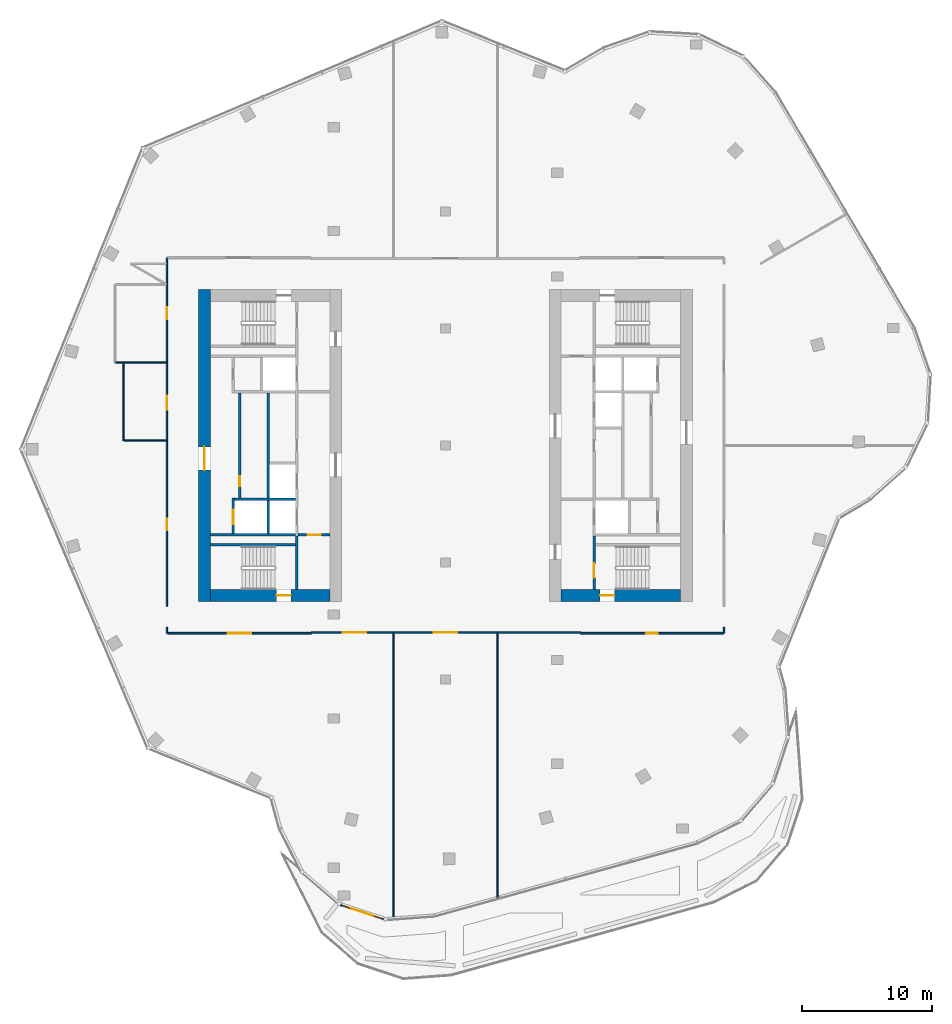
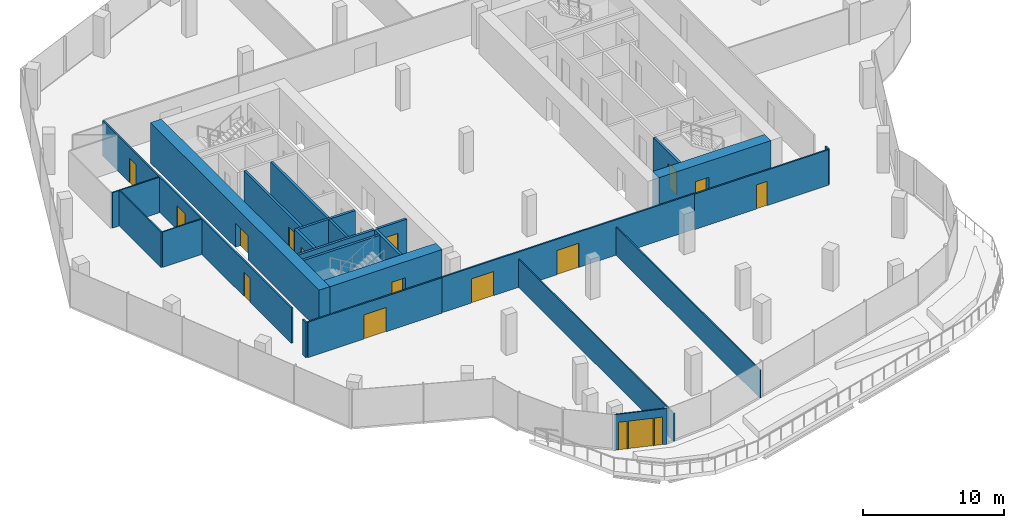
# One storey, part 12 of 16: 25 walls, 15 doors, 2 windows, 17 openings.
"""IFC4 building model written with IfcOpenShell, lengths in metres."""

from ifc_helpers import new_model, si_unit, direction, frame, frame_2d, origin, place, context, subcontext, project, spatial, rectangle, extrude, material, layer, layer_set, type_object, element, fill, save


model = new_model("IFC4")

# Units and contexts
model_context = context("Model", 3, precision=1e-05, world=origin(), true_north=direction((0.0, 1.0)))
body_context = subcontext(model_context, "Body", "Model", "MODEL_VIEW")
ifc_project = project(units=[si_unit("LENGTHUNIT", "METRE"), si_unit("AREAUNIT", "SQUARE_METRE"), si_unit("VOLUMEUNIT", "CUBIC_METRE"), si_unit("PLANEANGLEUNIT", "RADIAN"), si_unit("MASSUNIT", "GRAM", prefix="KILO")], contexts=[model_context])

# Site, building, storey
site_placement = place(None, origin())
site = spatial("IfcSite", under=ifc_project, at=site_placement, CompositionType="ELEMENT")
building_placement = place(site_placement, origin())
building = spatial("IfcBuilding", under=site, at=building_placement, Name="Orlundy Tower", CompositionType="ELEMENT")
storey_placement = place(building_placement, frame((0.0, 0.0, 292.89990234375)))
storey = spatial("IfcBuildingStorey", under=building, at=storey_placement, Name="L78", CompositionType="ELEMENT", Elevation=292.89990234375)

# Wall, opening, door
ifc_material_1 = material(Name="Concrete C50/60", Category="concrete")
ifc_layer_1 = layer(ifc_material_1, 0.89990234375)
ifc_layer_set_1 = layer_set([ifc_layer_1], Name="CORE WALL 900 C50/60")
wall_type_1 = type_object("IfcWallType", Name="CORE WALL 900 C50/60", PredefinedType="SHEAR", material=ifc_layer_set_1)
wall_1_placement = place(storey_placement, frame((-18.10009765625, -11.550048828125, 0.0), z_axis=(0.0, 0.0, 1.0), x_axis=(1.0, 0.0, 0.0)))
wall_1 = element("IfcWall", 1, at=wall_1_placement, inside=storey, type_object=wall_type_1, Name="Core wall W-S L78", PredefinedType="SHEAR", context=body_context, shape_type="SweptSolid", body=[
    extrude(rectangle(XDim=9.2001953125, YDim=0.89990234375, at=frame_2d((4.60009765625, 0.0))), origin(), (0.0, 0.0, 1.0), 3.5),
])
opening_1_placement = place(wall_1_placement, frame((5.10009765625, 0.0, 0.0)))
opening_1 = element("IfcOpeningElement", 2, at=opening_1_placement, cuts=wall_1, Name="Opening 60012", PredefinedType="OPENING", context=body_context, shape_type="SweptSolid", body=[
    extrude(rectangle(XDim=1.10009765625, YDim=2.10009765625, at=frame_2d((0.550048828125, 1.050048828125))), frame((0.0, 0.4599609375, 0.0), z_axis=(0.0, -1.0, 0.0), x_axis=(1.0, 0.0, 0.0)), (0.0, 0.0, 1.0), 0.919921875),
])
ifc_material_2 = material(Name="Steel door set", Category="steel")
door_type_1 = type_object("IfcDoorType", Name="Stair Door 1100x2100", OperationType="SINGLE_SWING_LEFT", PredefinedType="DOOR", material=ifc_material_2)
door_1_placement = place(opening_1_placement, origin())
door_1 = element("IfcDoor", 3, at=door_1_placement, inside=storey, type_object=door_type_1, Name="Stair door 60012", OperationType="SINGLE_SWING_RIGHT", OverallHeight=2.10009765625, OverallWidth=1.10009765625, PredefinedType="DOOR", context=body_context, shape_type="SweptSolid", body=[
    extrude(rectangle(XDim=1.10009765625, YDim=2.10009765625, at=frame_2d((0.550048828125, 1.050048828125))), frame((0.0, 0.02490234375, 0.0), z_axis=(0.0, -1.0, 0.0), x_axis=(1.0, 0.0, 0.0)), (0.0, 0.0, 1.0), 0.050048828125),
])
fill(opening_1, door_1)

wall_2_placement = place(storey_placement, frame((-18.550048828125, -12.0, 0.0), z_axis=(0.0, 0.0, 1.0), x_axis=(0.0, 1.0, 0.0)))
wall_2 = element("IfcWall", 4, at=wall_2_placement, inside=storey, type_object=wall_type_1, Name="Core wall W-W L78", PredefinedType="SHEAR", context=body_context, shape_type="SweptSolid", body=[
    extrude(rectangle(XDim=24.0, YDim=0.89990234375, at=frame_2d((12.0, 0.0))), origin(), (0.0, 0.0, 1.0), 3.5),
])
opening_2_placement = place(wall_2_placement, frame((10.10009765625, 0.0, 0.0)))
opening_2 = element("IfcOpeningElement", 5, at=opening_2_placement, cuts=wall_2, Name="Opening 60009", PredefinedType="OPENING", context=body_context, shape_type="SweptSolid", body=[
    extrude(rectangle(XDim=1.800048828125, YDim=2.10009765625, at=frame_2d((0.89990234375, 1.050048828125))), frame((0.0, 0.4599609375, 0.0), z_axis=(0.0, -1.0, 0.0), x_axis=(1.0, 0.0, 0.0)), (0.0, 0.0, 1.0), 0.919921875),
])
ifc_material_3 = material(Name="Timber door set", Category="wood")
door_type_2 = type_object("IfcDoorType", Name="Lobby Door 1800x2100", OperationType="DOUBLE_DOOR_DOUBLE_SWING", PredefinedType="DOOR", material=ifc_material_3)
door_2_placement = place(opening_2_placement, origin())
door_2 = element("IfcDoor", 6, at=door_2_placement, inside=storey, type_object=door_type_2, Name="Lift lobby door 60009", OperationType="SINGLE_SWING_LEFT", OverallHeight=2.10009765625, OverallWidth=1.800048828125, PredefinedType="DOOR", context=body_context, shape_type="SweptSolid", body=[
    extrude(rectangle(XDim=1.800048828125, YDim=2.10009765625, at=frame_2d((0.89990234375, 1.050048828125))), frame((0.0, 0.02490234375, 0.0), z_axis=(0.0, -1.0, 0.0), x_axis=(1.0, 0.0, 0.0)), (0.0, 0.0, 1.0), 0.050048828125),
])
fill(opening_2, door_2)

wall_3_placement = place(storey_placement, frame((8.89990234375, -11.550048828125, 0.0), z_axis=(0.0, 0.0, 1.0), x_axis=(1.0, 0.0, 0.0)))
wall_3 = element("IfcWall", 7, at=wall_3_placement, inside=storey, type_object=wall_type_1, Name="Core wall E-S L78", PredefinedType="SHEAR", context=body_context, shape_type="SweptSolid", body=[
    extrude(rectangle(XDim=9.2001953125, YDim=0.89990234375, at=frame_2d((4.60009765625, 0.0))), origin(), (0.0, 0.0, 1.0), 3.5),
])
opening_3_placement = place(wall_3_placement, frame((3.0, 0.0, 0.0)))
opening_3 = element("IfcOpeningElement", 8, at=opening_3_placement, cuts=wall_3, Name="Opening 60060", PredefinedType="OPENING", context=body_context, shape_type="SweptSolid", body=[
    extrude(rectangle(XDim=1.10009765625, YDim=2.10009765625, at=frame_2d((0.550048828125, 1.050048828125))), frame((0.0, 0.4599609375, 0.0), z_axis=(0.0, -1.0, 0.0), x_axis=(1.0, 0.0, 0.0)), (0.0, 0.0, 1.0), 0.919921875),
])
door_3_placement = place(opening_3_placement, origin())
door_3 = element("IfcDoor", 9, at=door_3_placement, inside=storey, type_object=door_type_1, Name="Stair door 60060", OperationType="SINGLE_SWING_LEFT", OverallHeight=2.10009765625, OverallWidth=1.10009765625, PredefinedType="DOOR", context=body_context, shape_type="SweptSolid", body=[
    extrude(rectangle(XDim=1.10009765625, YDim=2.10009765625, at=frame_2d((0.550048828125, 1.050048828125))), frame((0.0, 0.02490234375, 0.0), z_axis=(0.0, -1.0, 0.0), x_axis=(1.0, 0.0, 0.0)), (0.0, 0.0, 1.0), 0.050048828125),
])
fill(opening_3, door_3)

# Walls
ifc_material_4 = material(Name="Gypsum board partition")
ifc_layer_2 = layer(ifc_material_4, 0.10009765625)
ifc_layer_set_2 = layer_set([ifc_layer_2], Name="Floor partition 100")
wall_type_2 = type_object("IfcWallType", Name="Floor partition 100", PredefinedType="PARTITIONING", material=ifc_layer_set_2)
wall_4_placement = place(storey_placement, frame((-24.73193359375, 0.385986328125, 0.0), z_axis=(0.0, 0.0, 1.0), x_axis=(1.0, 0.0, 0.0)))
element("IfcWall", 10, at=wall_4_placement, inside=storey, type_object=wall_type_2, Name="wall-int-L78-006", PredefinedType="PARTITIONING", context=body_context, shape_type="SweptSolid", body=[
    extrude(rectangle(XDim=3.219970703125, YDim=0.10009765625, at=frame_2d((1.60986328125, 0.0))), origin(), (0.0, 0.0, 1.0), 3.080078125),
])
wall_5_placement = place(storey_placement, frame((-25.39794921875, 6.385009765625, 0.0), z_axis=(0.0, 0.0, 1.0), x_axis=(1.0, 0.0, 0.0)))
element("IfcWall", 11, at=wall_5_placement, inside=storey, type_object=wall_type_2, Name="wall-int-L78-007", PredefinedType="PARTITIONING", context=body_context, shape_type="SweptSolid", body=[
    extrude(rectangle(XDim=3.885986328125, YDim=0.10009765625, at=frame_2d((1.94287109375, 0.0))), origin(), (0.0, 0.0, 1.0), 3.080078125),
])
wall_6_placement = place(storey_placement, frame((-24.781982421875, 0.385986328125, 0.0), z_axis=(0.0, 0.0, 1.0), x_axis=(0.0, 1.0, 0.0)))
element("IfcWall", 12, at=wall_6_placement, inside=storey, type_object=wall_type_2, Name="wall-int-L78-023", PredefinedType="PARTITIONING", context=body_context, shape_type="SweptSolid", body=[
    extrude(rectangle(XDim=5.948974609375, YDim=0.10009765625, at=frame_2d((2.974609375, 0.0))), origin(), (0.0, 0.0, 1.0), 3.080078125),
])
ifc_material_5 = material(Name="Gypsum board partition")
ifc_layer_3 = layer(ifc_material_5, 0.10009765625)
ifc_layer_set_3 = layer_set([ifc_layer_3], Name="Floor partition 100 B")
wall_type_3 = type_object("IfcWallType", Name="Floor partition 100 B", PredefinedType="PARTITIONING", material=ifc_layer_set_3)
wall_7_placement = place(storey_placement, frame((4.0, -34.951904296875, 0.0), z_axis=(0.0, 0.0, 1.0), x_axis=(0.0, 1.0, 0.0)))
element("IfcWall", 13, at=wall_7_placement, inside=storey, type_object=wall_type_3, Name="wall-int-L78-017", PredefinedType="PARTITIONING", context=body_context, shape_type="SweptSolid", body=[
    extrude(rectangle(XDim=20.489013671875, YDim=0.10009765625, at=frame_2d((10.24462890625, 0.0))), origin(), (0.0, 0.0, 1.0), 2.445068359375),
])
wall_8_placement = place(storey_placement, frame((-4.0, -36.531982421875, 0.0), z_axis=(0.0, 0.0, 1.0), x_axis=(0.0, 1.0, 0.0)))
element("IfcWall", 14, at=wall_8_placement, inside=storey, type_object=wall_type_3, Name="wall-int-L78-019", PredefinedType="PARTITIONING", context=body_context, shape_type="SweptSolid", body=[
    extrude(rectangle(XDim=22.069091796875, YDim=0.10009765625, at=frame_2d((11.03466796875, 0.0))), origin(), (0.0, 0.0, 1.0), 2.445068359375),
])

# Wall, opening, door
ifc_material_6 = material(Name="Gypsum board partition, double layer")
ifc_layer_4 = layer(ifc_material_6, 0.125)
ifc_layer_set_4 = layer_set([ifc_layer_4], Name="Floor partition 125")
wall_type_4 = type_object("IfcWallType", Name="Floor partition 125", PredefinedType="PARTITIONING", material=ifc_layer_set_4)
wall_9_placement = place(storey_placement, frame((-10.35009765625, -14.450927734375, 0.0), z_axis=(0.0, 0.0, 1.0), x_axis=(-1.0, 0.0, 0.0)))
wall_9 = element("IfcWall", 15, at=wall_9_placement, inside=storey, type_object=wall_type_4, Name="wall-int-L78-002", PredefinedType="PARTITIONING", context=body_context, shape_type="SweptSolid", body=[
    extrude(rectangle(XDim=11.036865234375, YDim=0.125, at=frame_2d((5.5185546875, 0.0))), origin(), (0.0, 0.0, 1.0), 3.080078125),
])
opening_4_placement = place(wall_9_placement, frame((4.60009765625, 0.0, 0.0)))
opening_4 = element("IfcOpeningElement", 16, at=opening_4_placement, cuts=wall_9, Name="Opening 60101", PredefinedType="OPENING", context=body_context, shape_type="SweptSolid", body=[
    extrude(rectangle(XDim=1.800048828125, YDim=2.10009765625, at=frame_2d((0.89990234375, 1.050048828125))), frame((0.0, 0.072509765625, 0.0), z_axis=(0.0, -1.0, 0.0), x_axis=(1.0, 0.0, 0.0)), (0.0, 0.0, 1.0), 0.14501953125),
])
ifc_material_7 = material(Name="Timber door leaf", Category="wood")
door_type_3 = type_object("IfcDoorType", Name="Floor door double 1800 FD30S", OperationType="NOTDEFINED", PredefinedType="DOOR", material=ifc_material_7)
door_4_placement = place(opening_4_placement, origin())
door_4 = element("IfcDoor", 17, at=door_4_placement, inside=storey, type_object=door_type_3, Name="Door 60101", OperationType="DOUBLE_DOOR_SINGLE_SWING", OverallHeight=2.10009765625, OverallWidth=1.800048828125, PredefinedType="DOOR", context=body_context, shape_type="SweptSolid", body=[
    extrude(rectangle(XDim=1.800048828125, YDim=2.10009765625, at=frame_2d((0.89990234375, 1.050048828125))), frame((0.0, 0.02490234375, 0.0), z_axis=(0.0, -1.0, 0.0), x_axis=(1.0, 0.0, 0.0)), (0.0, 0.0, 1.0), 0.050048828125),
])
fill(opening_4, door_4)

wall_10_placement = place(storey_placement, frame((21.386962890625, -14.450927734375, 0.0), z_axis=(0.0, 0.0, 1.0), x_axis=(-1.0, 0.0, 0.0)))
wall_10 = element("IfcWall", 18, at=wall_10_placement, inside=storey, type_object=wall_type_4, Name="wall-int-L78-003", PredefinedType="PARTITIONING", context=body_context, shape_type="SweptSolid", body=[
    extrude(rectangle(XDim=10.995849609375, YDim=0.125, at=frame_2d((5.498046875, 0.0))), origin(), (0.0, 0.0, 1.0), 3.080078125),
])
opening_5_placement = place(wall_10_placement, frame((5.03759765625, 0.0, 0.0)))
opening_5 = element("IfcOpeningElement", 19, at=opening_5_placement, cuts=wall_10, Name="Opening 60104", PredefinedType="OPENING", context=body_context, shape_type="SweptSolid", body=[
    extrude(rectangle(XDim=0.89990234375, YDim=2.10009765625, at=frame_2d((0.449951171875, 1.050048828125))), frame((0.0, 0.072509765625, 0.0), z_axis=(0.0, -1.0, 0.0), x_axis=(1.0, 0.0, 0.0)), (0.0, 0.0, 1.0), 0.14501953125),
])
ifc_material_8 = material(Name="Timber door leaf", Category="wood")
door_type_4 = type_object("IfcDoorType", Name="Floor door single 900 FD30S", OperationType="NOTDEFINED", PredefinedType="DOOR", material=ifc_material_8)
door_5_placement = place(opening_5_placement, origin())
door_5 = element("IfcDoor", 20, at=door_5_placement, inside=storey, type_object=door_type_4, Name="Door 60104", OperationType="SINGLE_SWING_LEFT", OverallHeight=2.10009765625, OverallWidth=0.89990234375, PredefinedType="DOOR", context=body_context, shape_type="SweptSolid", body=[
    extrude(rectangle(XDim=0.89990234375, YDim=2.10009765625, at=frame_2d((0.449951171875, 1.050048828125))), frame((0.0, 0.02490234375, 0.0), z_axis=(0.0, -1.0, 0.0), x_axis=(1.0, 0.0, 0.0)), (0.0, 0.0, 1.0), 0.050048828125),
])
fill(opening_5, door_5)

# Wall, openings, doors
wall_11_placement = place(storey_placement, frame((10.39111328125, -14.40087890625, 0.0), z_axis=(0.0, 0.0, 1.0), x_axis=(-1.0, 0.0, 0.0)))
wall_11 = element("IfcWall", 21, at=wall_11_placement, inside=storey, type_object=wall_type_4, Name="wall-int-L78-004", PredefinedType="PARTITIONING", context=body_context, shape_type="SweptSolid", body=[
    extrude(rectangle(XDim=20.740234375, YDim=0.125, at=frame_2d((10.3701171875, 0.0))), origin(), (0.0, 0.0, 1.0), 3.080078125),
])
opening_6_placement = place(wall_11_placement, frame((16.490966796875, 0.0, 0.0)))
opening_6 = element("IfcOpeningElement", 22, at=opening_6_placement, cuts=wall_11, Name="Opening 60102", PredefinedType="OPENING", context=body_context, shape_type="SweptSolid", body=[
    extrude(rectangle(XDim=1.800048828125, YDim=2.10009765625, at=frame_2d((0.89990234375, 1.050048828125))), frame((0.0, 0.072509765625, 0.0), z_axis=(0.0, -1.0, 0.0), x_axis=(1.0, 0.0, 0.0)), (0.0, 0.0, 1.0), 0.14501953125),
])
opening_7_placement = place(wall_11_placement, frame((9.490966796875, 0.0, 0.0)))
opening_7 = element("IfcOpeningElement", 23, at=opening_7_placement, cuts=wall_11, Name="Opening 60103", PredefinedType="OPENING", context=body_context, shape_type="SweptSolid", body=[
    extrude(rectangle(XDim=1.800048828125, YDim=2.10009765625, at=frame_2d((0.89990234375, 1.050048828125))), frame((0.0, 0.072509765625, 0.0), z_axis=(0.0, -1.0, 0.0), x_axis=(1.0, 0.0, 0.0)), (0.0, 0.0, 1.0), 0.14501953125),
])
door_6_placement = place(opening_6_placement, origin())
door_6 = element("IfcDoor", 24, at=door_6_placement, inside=storey, type_object=door_type_3, Name="Door 60102", OperationType="DOUBLE_DOOR_SINGLE_SWING", OverallHeight=2.10009765625, OverallWidth=1.800048828125, PredefinedType="DOOR", context=body_context, shape_type="SweptSolid", body=[
    extrude(rectangle(XDim=1.800048828125, YDim=2.10009765625, at=frame_2d((0.89990234375, 1.050048828125))), frame((0.0, 0.02490234375, 0.0), z_axis=(0.0, -1.0, 0.0), x_axis=(1.0, 0.0, 0.0)), (0.0, 0.0, 1.0), 0.050048828125),
])
fill(opening_6, door_6)
door_7_placement = place(opening_7_placement, origin())
door_7 = element("IfcDoor", 25, at=door_7_placement, inside=storey, type_object=door_type_3, Name="Door 60103", OperationType="DOUBLE_DOOR_SINGLE_SWING", OverallHeight=2.10009765625, OverallWidth=1.800048828125, PredefinedType="DOOR", context=body_context, shape_type="SweptSolid", body=[
    extrude(rectangle(XDim=1.800048828125, YDim=2.10009765625, at=frame_2d((0.89990234375, 1.050048828125))), frame((0.0, 0.02490234375, 0.0), z_axis=(0.0, -1.0, 0.0), x_axis=(1.0, 0.0, 0.0)), (0.0, 0.0, 1.0), 0.050048828125),
])
fill(opening_7, door_7)

# Walls
for number, where, z_axis, x_axis, name in (
    (26, (21.449951171875, -14.450927734375, 0.0), (0.0, 0.0, 1.0), (0.0, 1.0, 0.0), "wall-int-L78-014"),
    (27, (-21.449951171875, -14.450927734375, 0.0), (0.0, 0.0, 1.0), (0.0, 1.0, 0.0), "wall-int-L78-021"),
):
    element("IfcWall", number, at=place(storey_placement, frame(where, z_axis=z_axis, x_axis=x_axis)), inside=storey, type_object=wall_type_4, Name=name, PredefinedType="PARTITIONING", context=body_context, shape_type="SweptSolid", body=[
        extrude(rectangle(XDim=0.450927734375, YDim=0.125, at=frame_2d((0.2255859375, 0.0))), origin(), (0.0, 0.0, 1.0), 3.080078125),
    ])

# Wall, openings, doors
wall_12_placement = place(storey_placement, frame((-21.449951171875, -12.384033203125, 0.0), z_axis=(0.0, 0.0, 1.0), x_axis=(0.0, 1.0, 0.0)))
wall_12 = element("IfcWall", 28, at=wall_12_placement, inside=storey, type_object=wall_type_4, Name="wall-int-L78-022", PredefinedType="PARTITIONING", context=body_context, shape_type="SweptSolid", body=[
    extrude(rectangle(XDim=26.8349609375, YDim=0.125, at=frame_2d((13.41748046875, 0.0))), origin(), (0.0, 0.0, 1.0), 3.080078125),
])
opening_8_placement = place(wall_12_placement, frame((5.85009765625, 0.0, 0.0)))
opening_8 = element("IfcOpeningElement", 29, at=opening_8_placement, cuts=wall_12, Name="Opening 60100", PredefinedType="OPENING", context=body_context, shape_type="SweptSolid", body=[
    extrude(rectangle(XDim=0.89990234375, YDim=2.10009765625, at=frame_2d((0.449951171875, 1.050048828125))), frame((0.0, 0.072509765625, 0.0), z_axis=(0.0, -1.0, 0.0), x_axis=(1.0, 0.0, 0.0)), (0.0, 0.0, 1.0), 0.14501953125),
])
opening_9_placement = place(wall_12_placement, frame((22.118896484375, 0.0, 0.0)))
opening_9 = element("IfcOpeningElement", 30, at=opening_9_placement, cuts=wall_12, Name="Opening 60110", PredefinedType="OPENING", context=body_context, shape_type="SweptSolid", body=[
    extrude(rectangle(XDim=0.89990234375, YDim=2.10009765625, at=frame_2d((0.449951171875, 1.050048828125))), frame((0.0, 0.072509765625, 0.0), z_axis=(0.0, -1.0, 0.0), x_axis=(1.0, 0.0, 0.0)), (0.0, 0.0, 1.0), 0.14501953125),
])
opening_10_placement = place(wall_12_placement, frame((15.1201171875, 0.0, 0.0)))
opening_10 = element("IfcOpeningElement", 31, at=opening_10_placement, cuts=wall_12, Name="Opening 60111", PredefinedType="OPENING", context=body_context, shape_type="SweptSolid", body=[
    extrude(rectangle(XDim=1.10009765625, YDim=2.10009765625, at=frame_2d((0.550048828125, 1.050048828125))), frame((0.0, 0.072509765625, 0.0), z_axis=(0.0, -1.0, 0.0), x_axis=(1.0, 0.0, 0.0)), (0.0, 0.0, 1.0), 0.14501953125),
])
door_8_placement = place(opening_8_placement, origin())
door_8 = element("IfcDoor", 32, at=door_8_placement, inside=storey, type_object=door_type_4, Name="Door 60100", OperationType="SINGLE_SWING_LEFT", OverallHeight=2.10009765625, OverallWidth=0.89990234375, PredefinedType="DOOR", context=body_context, shape_type="SweptSolid", body=[
    extrude(rectangle(XDim=0.89990234375, YDim=2.10009765625, at=frame_2d((0.449951171875, 1.050048828125))), frame((0.0, 0.02490234375, 0.0), z_axis=(0.0, -1.0, 0.0), x_axis=(1.0, 0.0, 0.0)), (0.0, 0.0, 1.0), 0.050048828125),
])
fill(opening_8, door_8)
door_9_placement = place(opening_9_placement, origin())
door_9 = element("IfcDoor", 33, at=door_9_placement, inside=storey, type_object=door_type_4, Name="Door 60110", OperationType="SINGLE_SWING_RIGHT", OverallHeight=2.10009765625, OverallWidth=0.89990234375, PredefinedType="DOOR", context=body_context, shape_type="SweptSolid", body=[
    extrude(rectangle(XDim=0.89990234375, YDim=2.10009765625, at=frame_2d((0.449951171875, 1.050048828125))), frame((0.0, 0.02490234375, 0.0), z_axis=(0.0, -1.0, 0.0), x_axis=(1.0, 0.0, 0.0)), (0.0, 0.0, 1.0), 0.050048828125),
])
fill(opening_9, door_9)
ifc_material_9 = material(Name="Timber door leaf", Category="wood")
door_type_5 = type_object("IfcDoorType", Name="Floor door xwide 1100 FD30S", OperationType="NOTDEFINED", PredefinedType="DOOR", material=ifc_material_9)
door_10_placement = place(opening_10_placement, origin())
door_10 = element("IfcDoor", 34, at=door_10_placement, inside=storey, type_object=door_type_5, Name="Door 60111", OperationType="SINGLE_SWING_RIGHT", OverallHeight=2.10009765625, OverallWidth=1.10009765625, PredefinedType="DOOR", context=body_context, shape_type="SweptSolid", body=[
    extrude(rectangle(XDim=1.10009765625, YDim=2.10009765625, at=frame_2d((0.550048828125, 1.050048828125))), frame((0.0, 0.02490234375, 0.0), z_axis=(0.0, -1.0, 0.0), x_axis=(1.0, 0.0, 0.0)), (0.0, 0.0, 1.0), 0.050048828125),
])
fill(opening_10, door_10)

# Wall, openings, windows, door
ifc_material_10 = material(Name="Aluminium bronze and tinted glass", Category="aluminium")
ifc_layer_5 = layer(ifc_material_10, 0.10009765625)
ifc_layer_set_5 = layer_set([ifc_layer_5], Name="Glazed door screen")
wall_type_5 = type_object("IfcWallType", Name="Glazed door screen", PredefinedType="STANDARD", material=ifc_layer_set_5)
wall_13_placement = place(storey_placement, frame((-4.612548828125, -36.520263671875, 0.0), z_axis=(0.0, 0.0, 1.0), x_axis=(-0.94967573468, 0.3132347346, 0.0)))
wall_13 = element("IfcWall", 35, at=wall_13_placement, inside=storey, type_object=wall_type_5, Name="Glazed door screen", PredefinedType="STANDARD", context=body_context, shape_type="SweptSolid", body=[
    extrude(rectangle(XDim=3.794921875, YDim=0.10009765625, at=frame_2d((1.8974609375, 0.0))), origin(), (0.0, 0.0, 1.0), 3.10009765625),
])
opening_11_placement = place(wall_13_placement, frame((0.99755859375, 0.0, 0.0)))
opening_11 = element("IfcOpeningElement", 36, at=opening_11_placement, cuts=wall_13, Name="Opening 60940", PredefinedType="OPENING", context=body_context, shape_type="SweptSolid", body=[
    extrude(rectangle(XDim=1.800048828125, YDim=2.39990234375, at=frame_2d((0.89990234375, 1.199951171875))), frame((0.0, 0.06005859375, 0.0), z_axis=(0.0, -1.0, 0.0), x_axis=(1.0, 0.0, 0.0)), (0.0, 0.0, 1.0), 0.1201171875),
])
opening_12_placement = place(wall_13_placement, frame((0.297607421875, 0.0, 0.0)))
opening_12 = element("IfcOpeningElement", 37, at=opening_12_placement, cuts=wall_13, Name="Opening W01", PredefinedType="OPENING", context=body_context, shape_type="SweptSolid", body=[
    extrude(rectangle(XDim=0.60009765625, YDim=2.39990234375, at=frame_2d((0.300048828125, 1.199951171875))), frame((0.0, 0.06005859375, 0.0), z_axis=(0.0, -1.0, 0.0), x_axis=(1.0, 0.0, 0.0)), (0.0, 0.0, 1.0), 0.1201171875),
])
opening_13_placement = place(wall_13_placement, frame((2.897705078125, 0.0, 0.0)))
opening_13 = element("IfcOpeningElement", 38, at=opening_13_placement, cuts=wall_13, Name="Opening W01", PredefinedType="OPENING", context=body_context, shape_type="SweptSolid", body=[
    extrude(rectangle(XDim=0.60009765625, YDim=2.39990234375, at=frame_2d((0.300048828125, 1.199951171875))), frame((0.0, 0.06005859375, 0.0), z_axis=(0.0, -1.0, 0.0), x_axis=(1.0, 0.0, 0.0)), (0.0, 0.0, 1.0), 0.1201171875),
])
ifc_material_11 = material(Name="Tinted glass in bronze aluminium frame", Category="aluminium")
window_type = type_object("IfcWindowType", Name="SL1 sidelight 600x2400", PartitioningType="SINGLE_PANEL", PredefinedType="WINDOW", material=ifc_material_11)
window_1_placement = place(opening_12_placement, origin())
window_1 = element("IfcWindow", 39, at=window_1_placement, inside=storey, type_object=window_type, Name="Window W01 L78", OverallHeight=2.39990234375, OverallWidth=0.60009765625, PartitioningType="SINGLE_PANEL", PredefinedType="WINDOW", context=body_context, shape_type="SweptSolid", body=[
    extrude(rectangle(XDim=0.60009765625, YDim=2.39990234375, at=frame_2d((0.300048828125, 1.199951171875))), frame((0.0, 0.030029296875, 0.0), z_axis=(0.0, -1.0, 0.0), x_axis=(1.0, 0.0, 0.0)), (0.0, 0.0, 1.0), 0.06005859375),
])
fill(opening_12, window_1)
window_2_placement = place(opening_13_placement, origin())
window_2 = element("IfcWindow", 40, at=window_2_placement, inside=storey, type_object=window_type, Name="Window W01 L78", OverallHeight=2.39990234375, OverallWidth=0.60009765625, PartitioningType="SINGLE_PANEL", PredefinedType="WINDOW", context=body_context, shape_type="SweptSolid", body=[
    extrude(rectangle(XDim=0.60009765625, YDim=2.39990234375, at=frame_2d((0.300048828125, 1.199951171875))), frame((0.0, 0.030029296875, 0.0), z_axis=(0.0, -1.0, 0.0), x_axis=(1.0, 0.0, 0.0)), (0.0, 0.0, 1.0), 0.06005859375),
])
fill(opening_13, window_2)
ifc_material_12 = material(Name="Aluminium bronze and tinted glass", Category="aluminium")
door_type_6 = type_object("IfcDoorType", Name="TD3 terrace sliding door 1800x2400", OperationType="DOUBLE_DOOR_SLIDING", PredefinedType="DOOR", material=ifc_material_12)
door_11_placement = place(opening_11_placement, origin())
door_11 = element("IfcDoor", 41, at=door_11_placement, inside=storey, type_object=door_type_6, Name="Door 60940", OperationType="DOUBLE_DOOR_SLIDING", OverallHeight=2.39990234375, OverallWidth=1.800048828125, PredefinedType="DOOR", context=body_context, shape_type="SweptSolid", body=[
    extrude(rectangle(XDim=1.800048828125, YDim=2.39990234375, at=frame_2d((0.89990234375, 1.199951171875))), frame((0.0, 0.02490234375, 0.0), z_axis=(0.0, -1.0, 0.0), x_axis=(1.0, 0.0, 0.0)), (0.0, 0.0, 1.0), 0.050048828125),
])
fill(opening_11, door_11)

# Walls
ifc_material_13 = material(Name="Concrete C40/50", Category="concrete")
ifc_layer_6 = layer(ifc_material_13, 0.199951171875)
ifc_layer_set_6 = layer_set([ifc_layer_6], Name="Load-bearing Shaft Wall 200")
wall_type_6 = type_object("IfcWallType", Name="Load-bearing Shaft Wall 200", PredefinedType="SOLIDWALL", material=ifc_layer_set_6)
wall_14_placement = place(storey_placement, frame((-11.43994140625, -11.10009765625, 0.0), z_axis=(0.0, 0.0, 1.0), x_axis=(0.0, 1.0, 0.0)))
element("IfcWall", 42, at=wall_14_placement, inside=storey, type_object=wall_type_6, Name="Shaft wall W60-stair-end-s", PredefinedType="SOLIDWALL", context=body_context, shape_type="SweptSolid", body=[
    extrude(rectangle(XDim=4.125, YDim=0.199951171875, at=frame_2d((2.0625, 0.0))), origin(), (0.0, 0.0, 1.0), 3.090087890625),
])
wall_15_placement = place(storey_placement, frame((-11.5400390625, -7.64990234375, 0.0), z_axis=(0.0, 0.0, 1.0), x_axis=(-1.0, 0.0, 0.0)))
element("IfcWall", 43, at=wall_15_placement, inside=storey, type_object=wall_type_6, Name="Shaft wall W60-stair-side-s", PredefinedType="SOLIDWALL", context=body_context, shape_type="SweptSolid", body=[
    extrude(rectangle(XDim=6.56005859375, YDim=0.199951171875, at=frame_2d((3.280029296875, 0.0))), origin(), (0.0, 0.0, 1.0), 3.090087890625),
])

# Wall, opening, door
wall_16_placement = place(storey_placement, frame((11.43994140625, -6.97509765625, 0.0), z_axis=(0.0, 0.0, 1.0), x_axis=(0.0, -1.0, 0.0)))
wall_16 = element("IfcWall", 44, at=wall_16_placement, inside=storey, type_object=wall_type_6, Name="Shaft wall E60-stair-end-n", PredefinedType="SOLIDWALL", context=body_context, shape_type="SweptSolid", body=[
    extrude(rectangle(XDim=4.125, YDim=0.199951171875, at=frame_2d((2.0625, 0.0))), origin(), (0.0, 0.0, 1.0), 3.090087890625),
])
opening_14_placement = place(wall_16_placement, frame((2.10009765625, 0.0, 0.0)))
opening_14 = element("IfcOpeningElement", 45, at=opening_14_placement, cuts=wall_16, Name="Opening 60062", PredefinedType="OPENING", context=body_context, shape_type="SweptSolid", body=[
    extrude(rectangle(XDim=1.10009765625, YDim=2.10009765625, at=frame_2d((0.550048828125, 1.050048828125))), frame((0.0, 0.110107421875, 0.0), z_axis=(0.0, -1.0, 0.0), x_axis=(1.0, 0.0, 0.0)), (0.0, 0.0, 1.0), 0.22021484375),
])
ifc_material_14 = material(Name="Steel door set", Category="steel")
door_type_7 = type_object("IfcDoorType", Name="Fire-fighting Lobby Door 1100x2100", OperationType="SINGLE_SWING_LEFT", PredefinedType="DOOR", material=ifc_material_14)
door_12_placement = place(opening_14_placement, origin())
door_12 = element("IfcDoor", 46, at=door_12_placement, inside=storey, type_object=door_type_7, Name="Fire-fighting lobby to stair door 60062", OperationType="SINGLE_SWING_RIGHT", OverallHeight=2.10009765625, OverallWidth=1.10009765625, PredefinedType="DOOR", context=body_context, shape_type="SweptSolid", body=[
    extrude(rectangle(XDim=1.10009765625, YDim=2.10009765625, at=frame_2d((0.550048828125, 1.050048828125))), frame((0.0, 0.02490234375, 0.0), z_axis=(0.0, -1.0, 0.0), x_axis=(1.0, 0.0, 0.0)), (0.0, 0.0, 1.0), 0.050048828125),
])
fill(opening_14, door_12)

ifc_material_15 = material(Name="Gypsum board partition on steel studs", Category="steel")
ifc_layer_7 = layer(ifc_material_15, 0.199951171875)
ifc_layer_set_7 = layer_set([ifc_layer_7], Name="Partition 200")
wall_type_7 = type_object("IfcWallType", Name="Partition 200", PredefinedType="PARTITIONING", material=ifc_layer_set_7)
wall_17_placement = place(storey_placement, frame((-8.89990234375, -6.875, 0.0), z_axis=(0.0, 0.0, 1.0), x_axis=(-1.0, 0.0, 0.0)))
wall_17 = element("IfcWall", 47, at=wall_17_placement, inside=storey, type_object=wall_type_7, Name="Partition wall W60-end-s", PredefinedType="PARTITIONING", context=body_context, shape_type="SweptSolid", body=[
    extrude(rectangle(XDim=2.440185546875, YDim=0.199951171875, at=frame_2d((1.22021484375, 0.0))), origin(), (0.0, 0.0, 1.0), 3.090087890625),
])
opening_15_placement = place(wall_17_placement, frame((0.719970703125, 0.0, 0.0)))
opening_15 = element("IfcOpeningElement", 48, at=opening_15_placement, cuts=wall_17, Name="Opening 60014", PredefinedType="OPENING", context=body_context, shape_type="SweptSolid", body=[
    extrude(rectangle(XDim=1.0, YDim=2.10009765625, at=frame_2d((0.5, 1.050048828125))), frame((0.0, 0.110107421875, 0.0), z_axis=(0.0, -1.0, 0.0), x_axis=(1.0, 0.0, 0.0)), (0.0, 0.0, 1.0), 0.22021484375),
])
ifc_material_16 = material(Name="Timber door set", Category="wood")
door_type_8 = type_object("IfcDoorType", Name="Accessible Door 1000x2100", OperationType="SINGLE_SWING_LEFT", PredefinedType="DOOR", material=ifc_material_16)
door_13_placement = place(opening_15_placement, origin())
door_13 = element("IfcDoor", 49, at=door_13_placement, inside=storey, type_object=door_type_8, Name="Accessible WC door 60014", OperationType="SINGLE_SWING_RIGHT", OverallHeight=2.10009765625, OverallWidth=1.0, PredefinedType="DOOR", context=body_context, shape_type="SweptSolid", body=[
    extrude(rectangle(XDim=1.0, YDim=2.10009765625, at=frame_2d((0.5, 1.050048828125))), frame((0.0, 0.02490234375, 0.0), z_axis=(0.0, -1.0, 0.0), x_axis=(1.0, 0.0, 0.0)), (0.0, 0.0, 1.0), 0.050048828125),
])
fill(opening_15, door_13)

# Walls
ifc_material_17 = material(Name="Fire-rated blockwork shaft wall", Category="masonry")
ifc_layer_8 = layer(ifc_material_17, 0.199951171875)
ifc_layer_set_8 = layer_set([ifc_layer_8], Name="Shaft Wall 200")
wall_type_8 = type_object("IfcWallType", Name="Shaft Wall 200", PredefinedType="SOLIDWALL", material=ifc_layer_set_8)
wall_18_placement = place(storey_placement, frame((-11.5400390625, -6.875, 0.0), z_axis=(0.0, 0.0, 1.0), x_axis=(-1.0, 0.0, 0.0)))
element("IfcWall", 50, at=wall_18_placement, inside=storey, type_object=wall_type_8, Name="Shaft wall W60-zone-s", PredefinedType="SOLIDWALL", context=body_context, shape_type="SweptSolid", body=[
    extrude(rectangle(XDim=6.56005859375, YDim=0.199951171875, at=frame_2d((3.280029296875, 0.0))), origin(), (0.0, 0.0, 1.0), 3.090087890625),
])
wall_19_placement = place(storey_placement, frame((-11.5400390625, -4.125, 0.0), z_axis=(0.0, 0.0, 1.0), x_axis=(-1.0, 0.0, 0.0)))
element("IfcWall", 51, at=wall_19_placement, inside=storey, type_object=wall_type_8, Name="Shaft wall W60-cross-4.125", PredefinedType="SOLIDWALL", context=body_context, shape_type="SweptSolid", body=[
    extrude(rectangle(XDim=4.699951171875, YDim=0.199951171875, at=frame_2d((2.35009765625, 0.0))), origin(), (0.0, 0.0, 1.0), 3.090087890625),
])
wall_20_placement = place(storey_placement, frame((-13.639892578125, -6.77490234375, 0.0), z_axis=(0.0, 0.0, 1.0), x_axis=(0.0, 1.0, 0.0)))
element("IfcWall", 52, at=wall_20_placement, inside=storey, type_object=wall_type_8, Name="Shaft wall W60-mid-a", PredefinedType="SOLIDWALL", context=body_context, shape_type="SweptSolid", body=[
    extrude(rectangle(XDim=2.5498046875, YDim=0.199951171875, at=frame_2d((1.27490234375, 0.0))), origin(), (0.0, 0.0, 1.0), 3.090087890625),
])
wall_21_placement = place(storey_placement, frame((-13.639892578125, -4.02490234375, 0.0), z_axis=(0.0, 0.0, 1.0), x_axis=(0.0, 1.0, 0.0)))
element("IfcWall", 53, at=wall_21_placement, inside=storey, type_object=wall_type_8, Name="Shaft wall W60-mid-a.1", PredefinedType="SOLIDWALL", context=body_context, shape_type="SweptSolid", body=[
    extrude(rectangle(XDim=8.0498046875, YDim=0.199951171875, at=frame_2d((4.02490234375, 0.0))), origin(), (0.0, 0.0, 1.0), 3.090087890625),
])

# Wall, opening, door
wall_22_placement = place(storey_placement, frame((-16.340087890625, -6.77490234375, 0.0), z_axis=(0.0, 0.0, 1.0), x_axis=(0.0, 1.0, 0.0)))
wall_22 = element("IfcWall", 54, at=wall_22_placement, inside=storey, type_object=wall_type_8, Name="Shaft wall W60-front-o-a", PredefinedType="SOLIDWALL", context=body_context, shape_type="SweptSolid", body=[
    extrude(rectangle(XDim=2.75, YDim=0.199951171875, at=frame_2d((1.375, 0.0))), origin(), (0.0, 0.0, 1.0), 3.090087890625),
])
opening_16_placement = place(wall_22_placement, frame((0.72509765625, 0.0, 0.0)))
opening_16 = element("IfcOpeningElement", 55, at=opening_16_placement, cuts=wall_22, Name="Opening 60002", PredefinedType="OPENING", context=body_context, shape_type="SweptSolid", body=[
    extrude(rectangle(XDim=1.10009765625, YDim=2.10009765625, at=frame_2d((0.550048828125, 1.050048828125))), frame((0.0, 0.110107421875, 0.0), z_axis=(0.0, -1.0, 0.0), x_axis=(1.0, 0.0, 0.0)), (0.0, 0.0, 1.0), 0.22021484375),
])
ifc_material_18 = material(Name="Steel door set", Category="steel")
door_type_9 = type_object("IfcDoorType", Name="Landing Door 1100x2100", OperationType="DOUBLE_DOOR_SLIDING", PredefinedType="DOOR", material=ifc_material_18)
door_14_placement = place(opening_16_placement, origin())
door_14 = element("IfcDoor", 56, at=door_14_placement, inside=storey, type_object=door_type_9, Name="Lift landing door LV-01 60002", OperationType="DOUBLE_DOOR_SLIDING", OverallHeight=2.10009765625, OverallWidth=1.10009765625, PredefinedType="DOOR", context=body_context, shape_type="SweptSolid", body=[
    extrude(rectangle(XDim=1.10009765625, YDim=2.10009765625, at=frame_2d((0.550048828125, 1.050048828125))), frame((0.0, 0.02490234375, 0.0), z_axis=(0.0, -1.0, 0.0), x_axis=(1.0, 0.0, 0.0)), (0.0, 0.0, 1.0), 0.050048828125),
])
fill(opening_16, door_14)

wall_23_placement = place(storey_placement, frame((-15.840087890625, -4.02490234375, 0.0), z_axis=(0.0, 0.0, 1.0), x_axis=(0.0, 1.0, 0.0)))
wall_23 = element("IfcWall", 57, at=wall_23_placement, inside=storey, type_object=wall_type_8, Name="Shaft wall W60-front-o-b", PredefinedType="SOLIDWALL", context=body_context, shape_type="SweptSolid", body=[
    extrude(rectangle(XDim=8.0498046875, YDim=0.199951171875, at=frame_2d((4.02490234375, 0.0))), origin(), (0.0, 0.0, 1.0), 3.090087890625),
])
opening_17_placement = place(wall_23_placement, frame((0.875, 0.0, 0.0)))
opening_17 = element("IfcOpeningElement", 58, at=opening_17_placement, cuts=wall_23, Name="Opening 60005", PredefinedType="OPENING", context=body_context, shape_type="SweptSolid", body=[
    extrude(rectangle(XDim=0.800048828125, YDim=2.10009765625, at=frame_2d((0.39990234375, 1.050048828125))), frame((0.0, 0.110107421875, 0.0), z_axis=(0.0, -1.0, 0.0), x_axis=(1.0, 0.0, 0.0)), (0.0, 0.0, 1.0), 0.22021484375),
])
ifc_material_19 = material(Name="Timber door set", Category="wood")
door_type_10 = type_object("IfcDoorType", Name="Riser Door 800x2100", OperationType="SINGLE_SWING_LEFT", PredefinedType="DOOR", material=ifc_material_19)
door_15_placement = place(opening_17_placement, origin())
door_15 = element("IfcDoor", 59, at=door_15_placement, inside=storey, type_object=door_type_10, Name="HVAC Riser door 60005", OperationType="SINGLE_SWING_LEFT", OverallHeight=2.10009765625, OverallWidth=0.800048828125, PredefinedType="DOOR", context=body_context, shape_type="SweptSolid", body=[
    extrude(rectangle(XDim=0.800048828125, YDim=2.10009765625, at=frame_2d((0.39990234375, 1.050048828125))), frame((0.0, 0.02490234375, 0.0), z_axis=(0.0, -1.0, 0.0), x_axis=(1.0, 0.0, 0.0)), (0.0, 0.0, 1.0), 0.050048828125),
])
fill(opening_17, door_15)

save(model, "model.ifc")
